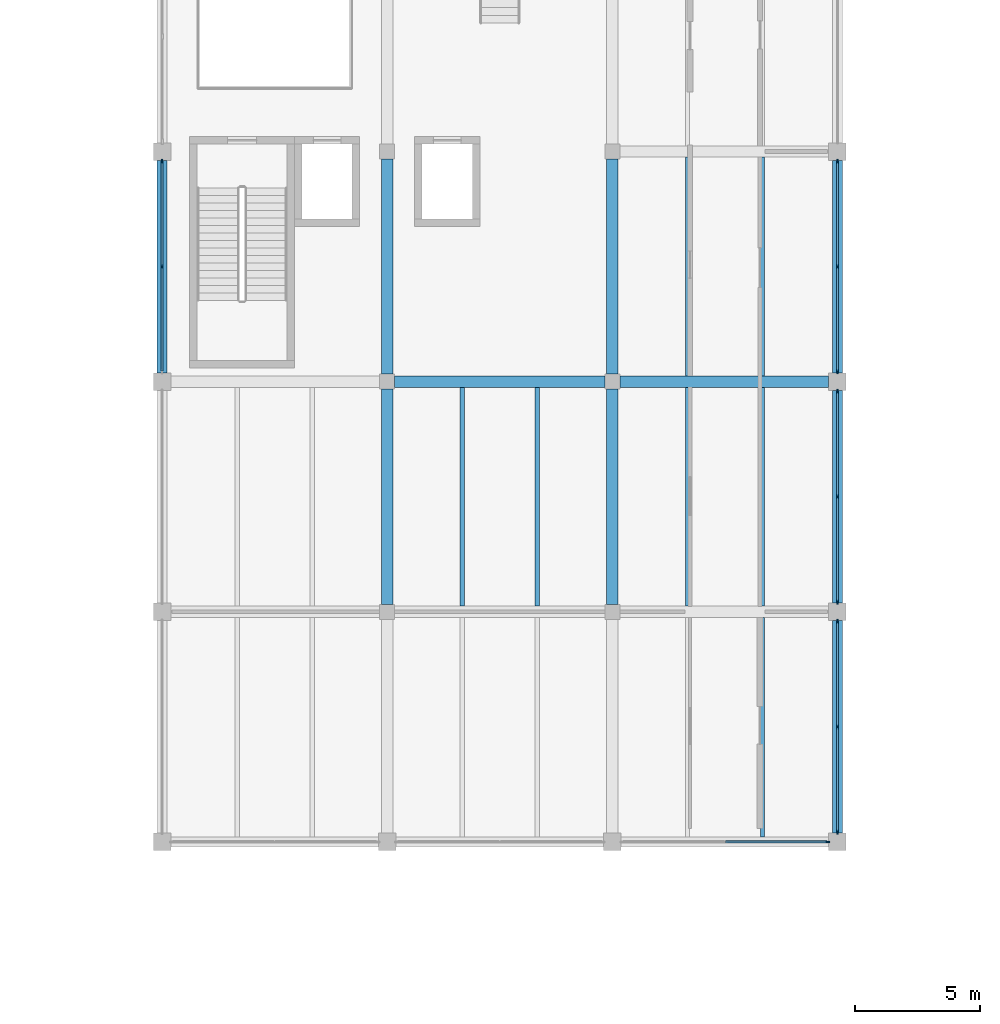
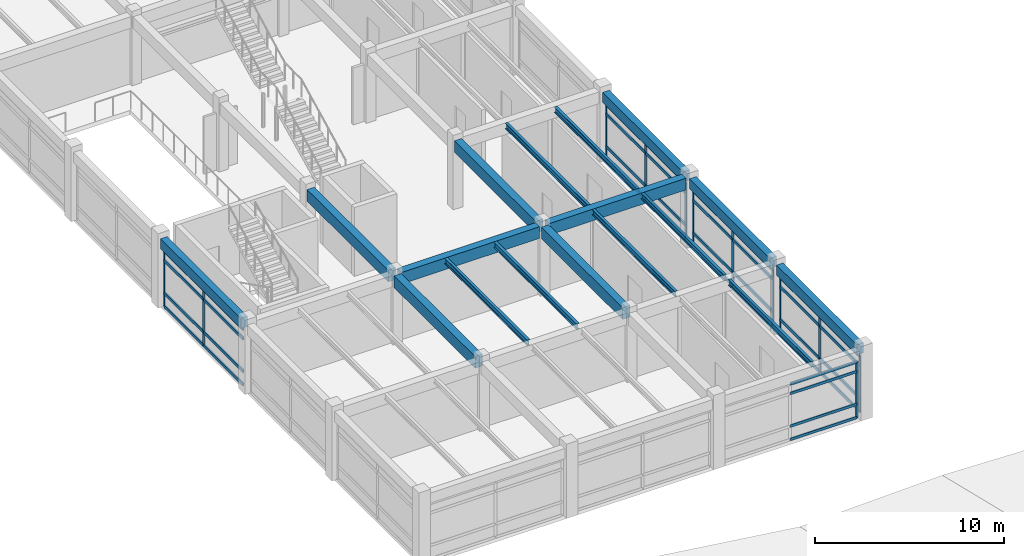
# One storey, part 28 of 90: 48 members, 17 beams, 5 elements without a shape of their own.
"""IFC4 building model written with IfcOpenShell, lengths in metres."""

from ifc_helpers import new_model, si_unit, direction, frame, origin, origin_2d, place, context, subcontext, project, spatial, rectangle, i_section, extrude, material, material_profile, profile_set, type_object, element, aggregate, save


model = new_model("IFC4")

# Units and contexts
model_context = context("Model", 3, precision=1e-05, world=origin(), true_north=direction((0.0, 1.0)))
body_context = subcontext(model_context, "Body", "Model", "MODEL_VIEW")
ifc_project = project(units=[si_unit("LENGTHUNIT", "METRE"), si_unit("AREAUNIT", "SQUARE_METRE"), si_unit("VOLUMEUNIT", "CUBIC_METRE"), si_unit("PLANEANGLEUNIT", "RADIAN"), si_unit("MASSUNIT", "GRAM", prefix="KILO")], contexts=[model_context])

# Site, building, storey
site_placement = place(None, origin())
site = spatial("IfcSite", under=ifc_project, at=site_placement, CompositionType="ELEMENT")
building_placement = place(site_placement, origin())
building = spatial("IfcBuilding", under=site, at=building_placement, Name="Bozkorgan Art Gallery", CompositionType="ELEMENT")
storey_placement = place(building_placement, frame((0.0, 0.0, 5.39990234375)))
storey = spatial("IfcBuildingStorey", under=building, at=storey_placement, Name="L01", CompositionType="ELEMENT", Elevation=5.39990234375)

# Beams
ifc_material_1 = material(Name="Concrete C35/45", Category="concrete")
ifc_material_profile_1 = material_profile(ifc_material_1, rectangle(XDim=0.449951171875, YDim=0.75, at=origin_2d()), Name="RC 450x750")
ifc_profile_set_1 = profile_set([ifc_material_profile_1], Name="Concrete C35/45")
beam_type_1 = type_object("IfcBeamType", Name="BEAM-BM-27", PredefinedType="BEAM", material=ifc_profile_set_1)
beam_1_placement = place(storey_placement, frame((83.300048828125, 56.800048828125, 4.065185546875), z_axis=(1.0, 0.0, 0.0), x_axis=(0.0, 1.0, 0.0)))
element("IfcBeam", 1, at=beam_1_placement, inside=storey, type_object=beam_type_1, Name="V4 L01 beam X (83-92, 56.8)", PredefinedType="BEAM", context=body_context, shape_type="SweptSolid", body=[
    extrude(rectangle(XDim=0.449951171875, YDim=0.75, at=origin_2d()), origin(), (0.0, 0.0, 1.0), 8.39990234375),
])
beam_2_placement = place(storey_placement, frame((92.300048828125, 56.800048828125, 4.065185546875), z_axis=(1.0, 0.0, 0.0), x_axis=(0.0, 1.0, 0.0)))
element("IfcBeam", 2, at=beam_2_placement, inside=storey, type_object=beam_type_1, Name="V4 L01 beam X (92-101, 56.8)", PredefinedType="BEAM", context=body_context, shape_type="SweptSolid", body=[
    extrude(rectangle(XDim=0.449951171875, YDim=0.75, at=origin_2d()), origin(), (0.0, 0.0, 1.0), 8.349853515625),
])
beam_3_placement = place(storey_placement, frame((83.0, 47.89990234375, 4.065185546875), z_axis=(0.0, 1.0, 0.0), x_axis=(-1.0, 0.0, 0.0)))
element("IfcBeam", 3, at=beam_3_placement, inside=storey, type_object=beam_type_1, Name="V4 L01 beam Y (83, 47.6-56.8)", PredefinedType="BEAM", context=body_context, shape_type="SweptSolid", body=[
    extrude(rectangle(XDim=0.449951171875, YDim=0.75, at=origin_2d()), origin(), (0.0, 0.0, 1.0), 8.60009765625),
])
beam_4_placement = place(storey_placement, frame((83.0, 57.10009765625, 4.065185546875), z_axis=(0.0, 1.0, 0.0), x_axis=(-1.0, 0.0, 0.0)))
element("IfcBeam", 4, at=beam_4_placement, inside=storey, type_object=beam_type_1, Name="V4 L01 beam Y (83, 56.8-66.0)", PredefinedType="BEAM", context=body_context, shape_type="SweptSolid", body=[
    extrude(rectangle(XDim=0.449951171875, YDim=0.75, at=origin_2d()), origin(), (0.0, 0.0, 1.0), 8.599853515625),
])
beam_5_placement = place(storey_placement, frame((92.0, 47.89990234375, 4.065185546875), z_axis=(0.0, 1.0, 0.0), x_axis=(-1.0, 0.0, 0.0)))
element("IfcBeam", 5, at=beam_5_placement, inside=storey, type_object=beam_type_1, Name="V4 L01 beam Y (92, 47.6-56.8)", PredefinedType="BEAM", context=body_context, shape_type="SweptSolid", body=[
    extrude(rectangle(XDim=0.449951171875, YDim=0.75, at=origin_2d()), origin(), (0.0, 0.0, 1.0), 8.60009765625),
])
beam_6_placement = place(storey_placement, frame((92.0, 57.10009765625, 4.065185546875), z_axis=(0.0, 1.0, 0.0), x_axis=(-1.0, 0.0, 0.0)))
element("IfcBeam", 6, at=beam_6_placement, inside=storey, type_object=beam_type_1, Name="V4 L01 beam Y (92, 56.8-66.0)", PredefinedType="BEAM", context=body_context, shape_type="SweptSolid", body=[
    extrude(rectangle(XDim=0.449951171875, YDim=0.75, at=origin_2d()), origin(), (0.0, 0.0, 1.0), 8.599853515625),
])
ifc_material_2 = material(Name="Steel S355J2", Category="steel")
ifc_material_profile_2 = material_profile(ifc_material_2, i_section(OverallWidth=0.169921875, OverallDepth=0.360107421875, WebThickness=0.008056640625, FlangeThickness=0.0126953125, FilletRadius=0.01806640625, at=origin_2d()), Name="IPE 360")
ifc_profile_set_2 = profile_set([ifc_material_profile_2], Name="Steel S355J2")
beam_type_2 = type_object("IfcBeamType", Name="BEAM-JS-98", PredefinedType="JOIST", material=ifc_profile_set_2)
for number, where, z_axis, x_axis, name in (
    (7, (86.0, 47.824951171875, 4.260009765625), (0.0, 1.0, 0.0), (-1.0, 0.0, 0.0), "V4 L01 secondary joist (83-92, 47.6-56.8) #1"),
    (8, (89.0, 47.824951171875, 4.260009765625), (0.0, 1.0, 0.0), (-1.0, 0.0, 0.0), "V4 L01 secondary joist (83-92, 47.6-56.8) #2"),
):
    element("IfcBeam", number, at=place(storey_placement, frame(where, z_axis=z_axis, x_axis=x_axis)), inside=storey, type_object=beam_type_2, Name=name, PredefinedType="JOIST", context=body_context, shape_type="SweptSolid", body=[
        extrude(i_section(OverallWidth=0.169921875, OverallDepth=0.360107421875, WebThickness=0.008056640625, FlangeThickness=0.0126953125, FilletRadius=0.01806640625, at=origin_2d()), origin(), (0.0, 0.0, 1.0), 8.75),
    ])
beam_7_placement = place(storey_placement, frame((98.0, 38.60009765625, 4.260009765625), z_axis=(0.0, 1.0, 0.0), x_axis=(-1.0, 0.0, 0.0)))
element("IfcBeam", 9, at=beam_7_placement, inside=storey, type_object=beam_type_2, Name="V4 L01 secondary joist (92-101, 38.4-47.6) #2", PredefinedType="JOIST", context=body_context, shape_type="SweptSolid", body=[
    extrude(i_section(OverallWidth=0.169921875, OverallDepth=0.360107421875, WebThickness=0.008056640625, FlangeThickness=0.0126953125, FilletRadius=0.01806640625, at=origin_2d()), origin(), (0.0, 0.0, 1.0), 8.77490234375),
])
for number, where, z_axis, x_axis, name in (
    (10, (95.0, 47.824951171875, 4.260009765625), (0.0, 1.0, 0.0), (-1.0, 0.0, 0.0), "V4 L01 secondary joist (92-101, 47.6-56.8) #1"),
    (11, (98.0, 47.824951171875, 4.260009765625), (0.0, 1.0, 0.0), (-1.0, 0.0, 0.0), "V4 L01 secondary joist (92-101, 47.6-56.8) #2"),
    (12, (95.0, 57.02490234375, 4.260009765625), (0.0, 1.0, 0.0), (-1.0, 0.0, 0.0), "V4 L01 secondary joist (92-101, 56.8-66.0) #1"),
    (13, (98.0, 57.02490234375, 4.260009765625), (0.0, 1.0, 0.0), (-1.0, 0.0, 0.0), "V4 L01 secondary joist (92-101, 56.8-66.0) #2"),
):
    element("IfcBeam", number, at=place(storey_placement, frame(where, z_axis=z_axis, x_axis=x_axis)), inside=storey, type_object=beam_type_2, Name=name, PredefinedType="JOIST", context=body_context, shape_type="SweptSolid", body=[
        extrude(i_section(OverallWidth=0.169921875, OverallDepth=0.360107421875, WebThickness=0.008056640625, FlangeThickness=0.0126953125, FilletRadius=0.01806640625, at=origin_2d()), origin(), (0.0, 0.0, 1.0), 8.75),
    ])
ifc_material_profile_3 = material_profile(ifc_material_1, rectangle(XDim=0.39990234375, YDim=0.64990234375, at=origin_2d()), Name="RC 400x650")
ifc_profile_set_3 = profile_set([ifc_material_profile_3], Name="Concrete C35/45")
beam_type_3 = type_object("IfcBeamType", Name="BEAM-SP-69", PredefinedType="SPANDREL", material=ifc_profile_set_3)
for number, where, z_axis, x_axis, name in (
    (14, (74.0, 57.14990234375, 4.114990234375), (0.0, 1.0, 0.0), (-1.0, 0.0, 0.0), "V4 L01 spandrel Y (74, 56.8-66.0)"),
    (15, (101.0, 38.75, 4.114990234375), (0.0, 1.0, 0.0), (-1.0, 0.0, 0.0), "V4 L01 spandrel Y (101, 38.4-47.6)"),
    (16, (101.0, 47.949951171875, 4.114990234375), (0.0, 1.0, 0.0), (-1.0, 0.0, 0.0), "V4 L01 spandrel Y (101, 47.6-56.8)"),
    (17, (101.0, 57.14990234375, 4.114990234375), (0.0, 1.0, 0.0), (-1.0, 0.0, 0.0), "V4 L01 spandrel Y (101, 56.8-66.0)"),
):
    element("IfcBeam", number, at=place(storey_placement, frame(where, z_axis=z_axis, x_axis=x_axis)), inside=storey, type_object=beam_type_3, Name=name, PredefinedType="SPANDREL", context=body_context, shape_type="SweptSolid", body=[
        extrude(rectangle(XDim=0.39990234375, YDim=0.64990234375, at=origin_2d()), origin(), (0.0, 0.0, 1.0), 8.5),
    ])

# Curtain wall, member
ifc_material_3 = material(Name="Anodised Bronze Aluminium", Category="aluminium")
curtain_wall_type_1 = type_object("IfcCurtainWallType", Name="CW-CW-19", PredefinedType="NOTDEFINED", material=ifc_material_3)
curtain_wall_1_placement = place(storey_placement, origin())
curtain_wall_1 = element("IfcCurtainWall", 18, at=curtain_wall_1_placement, inside=storey, type_object=curtain_wall_type_1, Name="L01 unitised curtain wall CW-V4-L01-1S-05", PredefinedType="NOTDEFINED")
ifc_material_profile_4 = material_profile(ifc_material_3, rectangle(XDim=0.06494140625, YDim=0.179931640625, at=origin_2d()), Name="ALU MULLION 65x180")
ifc_profile_set_4 = profile_set([ifc_material_profile_4], Name="Anodised Bronze Aluminium")
member_type_1 = type_object("IfcMemberType", Name="CWM-01", PredefinedType="MULLION", material=ifc_profile_set_4)
member_1_placement = place(storey_placement, frame((100.6025390625, 38.39990234375, 0.02001953125), z_axis=(0.0, 0.0, 1.0), x_axis=(0.0, 1.0, 0.0)))
member_1 = element("IfcMember", 19, at=member_1_placement, type_object=member_type_1, Name="CW-19 mullion 3", PredefinedType="MULLION", context=body_context, shape_type="SweptSolid", body=[
    extrude(rectangle(XDim=0.06494140625, YDim=0.179931640625, at=origin_2d()), origin(), (0.0, 0.0, 1.0), 3.655029296875),
])

# Curtain wall, members
curtain_wall_type_2 = type_object("IfcCurtainWallType", Name="CW-CW-16", PredefinedType="NOTDEFINED", material=ifc_material_3)
curtain_wall_2_placement = place(storey_placement, origin())
curtain_wall_2 = element("IfcCurtainWall", 20, at=curtain_wall_2_placement, inside=storey, type_object=curtain_wall_type_2, Name="L01 unitised curtain wall CW-V4-L01-1E-08", PredefinedType="NOTDEFINED")
member_2_placement = place(storey_placement, frame((101.0, 38.797607421875, 0.02001953125), z_axis=(0.0, 0.0, 1.0), x_axis=(-1.0, 0.0, 0.0)))
member_2 = element("IfcMember", 21, at=member_2_placement, type_object=member_type_1, Name="CW-16 mullion 1", PredefinedType="MULLION", context=body_context, shape_type="SweptSolid", body=[
    extrude(rectangle(XDim=0.06494140625, YDim=0.179931640625, at=origin_2d()), origin(), (0.0, 0.0, 1.0), 3.655029296875),
])
member_3_placement = place(storey_placement, frame((101.0, 43.0, 0.02001953125), z_axis=(0.0, 0.0, 1.0), x_axis=(-1.0, 0.0, 0.0)))
member_3 = element("IfcMember", 22, at=member_3_placement, type_object=member_type_1, Name="CW-16 mullion 2", PredefinedType="MULLION", context=body_context, shape_type="SweptSolid", body=[
    extrude(rectangle(XDim=0.06494140625, YDim=0.179931640625, at=origin_2d()), origin(), (0.0, 0.0, 1.0), 3.655029296875),
])
member_4_placement = place(storey_placement, frame((101.0, 47.202392578125, 0.02001953125), z_axis=(0.0, 0.0, 1.0), x_axis=(-1.0, 0.0, 0.0)))
member_4 = element("IfcMember", 23, at=member_4_placement, type_object=member_type_1, Name="CW-16 mullion 3", PredefinedType="MULLION", context=body_context, shape_type="SweptSolid", body=[
    extrude(rectangle(XDim=0.06494140625, YDim=0.179931640625, at=origin_2d()), origin(), (0.0, 0.0, 1.0), 3.655029296875),
])

curtain_wall_3_placement = place(storey_placement, origin())
curtain_wall_3 = element("IfcCurtainWall", 24, at=curtain_wall_3_placement, inside=storey, type_object=curtain_wall_type_2, Name="L01 unitised curtain wall CW-V4-L01-1E-10", PredefinedType="NOTDEFINED")
member_5_placement = place(storey_placement, frame((101.0, 47.99755859375, 0.02001953125), z_axis=(0.0, 0.0, 1.0), x_axis=(-1.0, 0.0, 0.0)))
member_5 = element("IfcMember", 25, at=member_5_placement, type_object=member_type_1, Name="CW-16 mullion 1", PredefinedType="MULLION", context=body_context, shape_type="SweptSolid", body=[
    extrude(rectangle(XDim=0.06494140625, YDim=0.179931640625, at=origin_2d()), origin(), (0.0, 0.0, 1.0), 3.655029296875),
])
member_6_placement = place(storey_placement, frame((101.0, 52.199951171875, 0.02001953125), z_axis=(0.0, 0.0, 1.0), x_axis=(-1.0, 0.0, 0.0)))
member_6 = element("IfcMember", 26, at=member_6_placement, type_object=member_type_1, Name="CW-16 mullion 2", PredefinedType="MULLION", context=body_context, shape_type="SweptSolid", body=[
    extrude(rectangle(XDim=0.06494140625, YDim=0.179931640625, at=origin_2d()), origin(), (0.0, 0.0, 1.0), 3.655029296875),
])
member_7_placement = place(storey_placement, frame((101.0, 56.402587890625, 0.02001953125), z_axis=(0.0, 0.0, 1.0), x_axis=(-1.0, 0.0, 0.0)))
member_7 = element("IfcMember", 27, at=member_7_placement, type_object=member_type_1, Name="CW-16 mullion 3", PredefinedType="MULLION", context=body_context, shape_type="SweptSolid", body=[
    extrude(rectangle(XDim=0.06494140625, YDim=0.179931640625, at=origin_2d()), origin(), (0.0, 0.0, 1.0), 3.655029296875),
])

curtain_wall_4_placement = place(storey_placement, origin())
curtain_wall_4 = element("IfcCurtainWall", 28, at=curtain_wall_4_placement, inside=storey, type_object=curtain_wall_type_2, Name="L01 unitised curtain wall CW-V4-L01-1W-11", PredefinedType="NOTDEFINED")
member_8_placement = place(storey_placement, frame((74.0, 61.39990234375, 0.02001953125), z_axis=(0.0, 0.0, 1.0), x_axis=(-1.0, 0.0, 0.0)))
member_8 = element("IfcMember", 29, at=member_8_placement, type_object=member_type_1, Name="CW-16 mullion 2", PredefinedType="MULLION", context=body_context, shape_type="SweptSolid", body=[
    extrude(rectangle(XDim=0.06494140625, YDim=0.179931640625, at=origin_2d()), origin(), (0.0, 0.0, 1.0), 3.655029296875),
])
member_9_placement = place(storey_placement, frame((74.0, 65.6025390625, 0.02001953125), z_axis=(0.0, 0.0, 1.0), x_axis=(-1.0, 0.0, 0.0)))
member_9 = element("IfcMember", 30, at=member_9_placement, type_object=member_type_1, Name="CW-16 mullion 3", PredefinedType="MULLION", context=body_context, shape_type="SweptSolid", body=[
    extrude(rectangle(XDim=0.06494140625, YDim=0.179931640625, at=origin_2d()), origin(), (0.0, 0.0, 1.0), 3.655029296875),
])

curtain_wall_5_placement = place(storey_placement, origin())
curtain_wall_5 = element("IfcCurtainWall", 31, at=curtain_wall_5_placement, inside=storey, type_object=curtain_wall_type_2, Name="L01 unitised curtain wall CW-V4-L01-1E-12", PredefinedType="NOTDEFINED")
member_10_placement = place(storey_placement, frame((101.0, 57.197509765625, 0.02001953125), z_axis=(0.0, 0.0, 1.0), x_axis=(-1.0, 0.0, 0.0)))
member_10 = element("IfcMember", 32, at=member_10_placement, type_object=member_type_1, Name="CW-16 mullion 1", PredefinedType="MULLION", context=body_context, shape_type="SweptSolid", body=[
    extrude(rectangle(XDim=0.06494140625, YDim=0.179931640625, at=origin_2d()), origin(), (0.0, 0.0, 1.0), 3.655029296875),
])
member_11_placement = place(storey_placement, frame((101.0, 61.39990234375, 0.02001953125), z_axis=(0.0, 0.0, 1.0), x_axis=(-1.0, 0.0, 0.0)))
member_11 = element("IfcMember", 33, at=member_11_placement, type_object=member_type_1, Name="CW-16 mullion 2", PredefinedType="MULLION", context=body_context, shape_type="SweptSolid", body=[
    extrude(rectangle(XDim=0.06494140625, YDim=0.179931640625, at=origin_2d()), origin(), (0.0, 0.0, 1.0), 3.655029296875),
])
member_12_placement = place(storey_placement, frame((101.0, 65.6025390625, 0.02001953125), z_axis=(0.0, 0.0, 1.0), x_axis=(-1.0, 0.0, 0.0)))
member_12 = element("IfcMember", 34, at=member_12_placement, type_object=member_type_1, Name="CW-16 mullion 3", PredefinedType="MULLION", context=body_context, shape_type="SweptSolid", body=[
    extrude(rectangle(XDim=0.06494140625, YDim=0.179931640625, at=origin_2d()), origin(), (0.0, 0.0, 1.0), 3.655029296875),
])

# Member
ifc_material_profile_5 = material_profile(ifc_material_3, rectangle(XDim=0.074951171875, YDim=0.169921875, at=origin_2d()), Name="ALU TRANSOM 75x170")
ifc_profile_set_5 = profile_set([ifc_material_profile_5], Name="Anodised Bronze Aluminium")
member_type_2 = type_object("IfcMemberType", Name="CWT-02", PredefinedType="USERDEFINED", material=ifc_profile_set_5)
member_13_placement = place(storey_placement, frame((96.532470703125, 38.39990234375, 0.0576171875), z_axis=(1.0, 0.0, 0.0), x_axis=(0.0, 1.0, 0.0)))
member_13 = element("IfcMember", 35, at=member_13_placement, type_object=member_type_2, Name="CW-19 transom 2.1", ObjectType="TRANSOM", PredefinedType="USERDEFINED", context=body_context, shape_type="SweptSolid", body=[
    extrude(rectangle(XDim=0.074951171875, YDim=0.169921875, at=origin_2d()), origin(), (0.0, 0.0, 1.0), 4.03759765625),
])

member_14_placement = place(storey_placement, frame((96.532470703125, 38.39990234375, 0.920166015625), z_axis=(1.0, 0.0, 0.0), x_axis=(0.0, 1.0, 0.0)))
member_14 = element("IfcMember", 36, at=member_14_placement, type_object=member_type_2, Name="CW-19 transom 2.2", ObjectType="TRANSOM", PredefinedType="USERDEFINED", context=body_context, shape_type="SweptSolid", body=[
    extrude(rectangle(XDim=0.074951171875, YDim=0.169921875, at=origin_2d()), origin(), (0.0, 0.0, 1.0), 4.03759765625),
])

member_15_placement = place(storey_placement, frame((96.532470703125, 38.39990234375, 3.025146484375), z_axis=(1.0, 0.0, 0.0), x_axis=(0.0, 1.0, 0.0)))
member_15 = element("IfcMember", 37, at=member_15_placement, type_object=member_type_2, Name="CW-19 transom 2.3", ObjectType="TRANSOM", PredefinedType="USERDEFINED", context=body_context, shape_type="SweptSolid", body=[
    extrude(rectangle(XDim=0.074951171875, YDim=0.169921875, at=origin_2d()), origin(), (0.0, 0.0, 1.0), 4.03759765625),
])

member_16_placement = place(storey_placement, frame((96.532470703125, 38.39990234375, 3.6376953125), z_axis=(1.0, 0.0, 0.0), x_axis=(0.0, 1.0, 0.0)))
member_16 = element("IfcMember", 38, at=member_16_placement, type_object=member_type_2, Name="CW-19 transom 2.4", ObjectType="TRANSOM", PredefinedType="USERDEFINED", context=body_context, shape_type="SweptSolid", body=[
    extrude(rectangle(XDim=0.074951171875, YDim=0.169921875, at=origin_2d()), origin(), (0.0, 0.0, 1.0), 4.03759765625),
])

aggregate(curtain_wall_1, [member_1, member_13, member_14, member_15, member_16])

ifc_material_profile_6 = material_profile(ifc_material_3, rectangle(XDim=0.080078125, YDim=0.199951171875, at=origin_2d()), Name="ALU TRANSOM 80x200")
ifc_profile_set_6 = profile_set([ifc_material_profile_6], Name="Anodised Bronze Aluminium")
member_type_3 = type_object("IfcMemberType", Name="CWT-03", PredefinedType="USERDEFINED", material=ifc_profile_set_6)
member_17_placement = place(storey_placement, frame((101.0, 38.830078125, 0.06005859375), z_axis=(0.0, 1.0, 0.0), x_axis=(-1.0, 0.0, 0.0)))
member_17 = element("IfcMember", 39, at=member_17_placement, type_object=member_type_3, Name="CW-16 transom 1.1", ObjectType="TRANSOM", PredefinedType="USERDEFINED", context=body_context, shape_type="SweptSolid", body=[
    extrude(rectangle(XDim=0.080078125, YDim=0.199951171875, at=origin_2d()), origin(), (0.0, 0.0, 1.0), 4.137451171875),
])

member_18_placement = place(storey_placement, frame((101.0, 38.830078125, 0.920166015625), z_axis=(0.0, 1.0, 0.0), x_axis=(-1.0, 0.0, 0.0)))
member_18 = element("IfcMember", 40, at=member_18_placement, type_object=member_type_3, Name="CW-16 transom 1.2", ObjectType="TRANSOM", PredefinedType="USERDEFINED", context=body_context, shape_type="SweptSolid", body=[
    extrude(rectangle(XDim=0.080078125, YDim=0.199951171875, at=origin_2d()), origin(), (0.0, 0.0, 1.0), 4.137451171875),
])

member_19_placement = place(storey_placement, frame((101.0, 38.830078125, 3.025146484375), z_axis=(0.0, 1.0, 0.0), x_axis=(-1.0, 0.0, 0.0)))
member_19 = element("IfcMember", 41, at=member_19_placement, type_object=member_type_3, Name="CW-16 transom 1.3", ObjectType="TRANSOM", PredefinedType="USERDEFINED", context=body_context, shape_type="SweptSolid", body=[
    extrude(rectangle(XDim=0.080078125, YDim=0.199951171875, at=origin_2d()), origin(), (0.0, 0.0, 1.0), 4.137451171875),
])

member_20_placement = place(storey_placement, frame((101.0, 38.830078125, 3.635009765625), z_axis=(0.0, 1.0, 0.0), x_axis=(-1.0, 0.0, 0.0)))
member_20 = element("IfcMember", 42, at=member_20_placement, type_object=member_type_3, Name="CW-16 transom 1.4", ObjectType="TRANSOM", PredefinedType="USERDEFINED", context=body_context, shape_type="SweptSolid", body=[
    extrude(rectangle(XDim=0.080078125, YDim=0.199951171875, at=origin_2d()), origin(), (0.0, 0.0, 1.0), 4.137451171875),
])

member_21_placement = place(storey_placement, frame((101.0, 43.032470703125, 0.06005859375), z_axis=(0.0, 1.0, 0.0), x_axis=(-1.0, 0.0, 0.0)))
member_21 = element("IfcMember", 43, at=member_21_placement, type_object=member_type_3, Name="CW-16 transom 2.1", ObjectType="TRANSOM", PredefinedType="USERDEFINED", context=body_context, shape_type="SweptSolid", body=[
    extrude(rectangle(XDim=0.080078125, YDim=0.199951171875, at=origin_2d()), origin(), (0.0, 0.0, 1.0), 4.137451171875),
])

member_22_placement = place(storey_placement, frame((101.0, 43.032470703125, 0.920166015625), z_axis=(0.0, 1.0, 0.0), x_axis=(-1.0, 0.0, 0.0)))
member_22 = element("IfcMember", 44, at=member_22_placement, type_object=member_type_3, Name="CW-16 transom 2.2", ObjectType="TRANSOM", PredefinedType="USERDEFINED", context=body_context, shape_type="SweptSolid", body=[
    extrude(rectangle(XDim=0.080078125, YDim=0.199951171875, at=origin_2d()), origin(), (0.0, 0.0, 1.0), 4.137451171875),
])

member_23_placement = place(storey_placement, frame((101.0, 43.032470703125, 3.025146484375), z_axis=(0.0, 1.0, 0.0), x_axis=(-1.0, 0.0, 0.0)))
member_23 = element("IfcMember", 45, at=member_23_placement, type_object=member_type_3, Name="CW-16 transom 2.3", ObjectType="TRANSOM", PredefinedType="USERDEFINED", context=body_context, shape_type="SweptSolid", body=[
    extrude(rectangle(XDim=0.080078125, YDim=0.199951171875, at=origin_2d()), origin(), (0.0, 0.0, 1.0), 4.137451171875),
])

member_24_placement = place(storey_placement, frame((101.0, 43.032470703125, 3.635009765625), z_axis=(0.0, 1.0, 0.0), x_axis=(-1.0, 0.0, 0.0)))
member_24 = element("IfcMember", 46, at=member_24_placement, type_object=member_type_3, Name="CW-16 transom 2.4", ObjectType="TRANSOM", PredefinedType="USERDEFINED", context=body_context, shape_type="SweptSolid", body=[
    extrude(rectangle(XDim=0.080078125, YDim=0.199951171875, at=origin_2d()), origin(), (0.0, 0.0, 1.0), 4.137451171875),
])

aggregate(curtain_wall_2, [member_2, member_3, member_4, member_17, member_18, member_19, member_20, member_21, member_22, member_23, member_24])

member_25_placement = place(storey_placement, frame((101.0, 48.030029296875, 0.06005859375), z_axis=(0.0, 1.0, 0.0), x_axis=(-1.0, 0.0, 0.0)))
member_25 = element("IfcMember", 47, at=member_25_placement, type_object=member_type_3, Name="CW-16 transom 1.1", ObjectType="TRANSOM", PredefinedType="USERDEFINED", context=body_context, shape_type="SweptSolid", body=[
    extrude(rectangle(XDim=0.080078125, YDim=0.199951171875, at=origin_2d()), origin(), (0.0, 0.0, 1.0), 4.137451171875),
])

member_26_placement = place(storey_placement, frame((101.0, 48.030029296875, 0.920166015625), z_axis=(0.0, 1.0, 0.0), x_axis=(-1.0, 0.0, 0.0)))
member_26 = element("IfcMember", 48, at=member_26_placement, type_object=member_type_3, Name="CW-16 transom 1.2", ObjectType="TRANSOM", PredefinedType="USERDEFINED", context=body_context, shape_type="SweptSolid", body=[
    extrude(rectangle(XDim=0.080078125, YDim=0.199951171875, at=origin_2d()), origin(), (0.0, 0.0, 1.0), 4.137451171875),
])

member_27_placement = place(storey_placement, frame((101.0, 48.030029296875, 3.025146484375), z_axis=(0.0, 1.0, 0.0), x_axis=(-1.0, 0.0, 0.0)))
member_27 = element("IfcMember", 49, at=member_27_placement, type_object=member_type_3, Name="CW-16 transom 1.3", ObjectType="TRANSOM", PredefinedType="USERDEFINED", context=body_context, shape_type="SweptSolid", body=[
    extrude(rectangle(XDim=0.080078125, YDim=0.199951171875, at=origin_2d()), origin(), (0.0, 0.0, 1.0), 4.137451171875),
])

member_28_placement = place(storey_placement, frame((101.0, 48.030029296875, 3.635009765625), z_axis=(0.0, 1.0, 0.0), x_axis=(-1.0, 0.0, 0.0)))
member_28 = element("IfcMember", 50, at=member_28_placement, type_object=member_type_3, Name="CW-16 transom 1.4", ObjectType="TRANSOM", PredefinedType="USERDEFINED", context=body_context, shape_type="SweptSolid", body=[
    extrude(rectangle(XDim=0.080078125, YDim=0.199951171875, at=origin_2d()), origin(), (0.0, 0.0, 1.0), 4.137451171875),
])

member_29_placement = place(storey_placement, frame((101.0, 52.232421875, 0.06005859375), z_axis=(0.0, 1.0, 0.0), x_axis=(-1.0, 0.0, 0.0)))
member_29 = element("IfcMember", 51, at=member_29_placement, type_object=member_type_3, Name="CW-16 transom 2.1", ObjectType="TRANSOM", PredefinedType="USERDEFINED", context=body_context, shape_type="SweptSolid", body=[
    extrude(rectangle(XDim=0.080078125, YDim=0.199951171875, at=origin_2d()), origin(), (0.0, 0.0, 1.0), 4.1376953125),
])

member_30_placement = place(storey_placement, frame((101.0, 52.232421875, 0.920166015625), z_axis=(0.0, 1.0, 0.0), x_axis=(-1.0, 0.0, 0.0)))
member_30 = element("IfcMember", 52, at=member_30_placement, type_object=member_type_3, Name="CW-16 transom 2.2", ObjectType="TRANSOM", PredefinedType="USERDEFINED", context=body_context, shape_type="SweptSolid", body=[
    extrude(rectangle(XDim=0.080078125, YDim=0.199951171875, at=origin_2d()), origin(), (0.0, 0.0, 1.0), 4.1376953125),
])

member_31_placement = place(storey_placement, frame((101.0, 52.232421875, 3.025146484375), z_axis=(0.0, 1.0, 0.0), x_axis=(-1.0, 0.0, 0.0)))
member_31 = element("IfcMember", 53, at=member_31_placement, type_object=member_type_3, Name="CW-16 transom 2.3", ObjectType="TRANSOM", PredefinedType="USERDEFINED", context=body_context, shape_type="SweptSolid", body=[
    extrude(rectangle(XDim=0.080078125, YDim=0.199951171875, at=origin_2d()), origin(), (0.0, 0.0, 1.0), 4.1376953125),
])

member_32_placement = place(storey_placement, frame((101.0, 52.232421875, 3.635009765625), z_axis=(0.0, 1.0, 0.0), x_axis=(-1.0, 0.0, 0.0)))
member_32 = element("IfcMember", 54, at=member_32_placement, type_object=member_type_3, Name="CW-16 transom 2.4", ObjectType="TRANSOM", PredefinedType="USERDEFINED", context=body_context, shape_type="SweptSolid", body=[
    extrude(rectangle(XDim=0.080078125, YDim=0.199951171875, at=origin_2d()), origin(), (0.0, 0.0, 1.0), 4.1376953125),
])

aggregate(curtain_wall_3, [member_5, member_6, member_7, member_25, member_26, member_27, member_28, member_29, member_30, member_31, member_32])

member_33_placement = place(storey_placement, frame((74.0, 57.22998046875, 0.06005859375), z_axis=(0.0, 1.0, 0.0), x_axis=(-1.0, 0.0, 0.0)))
member_33 = element("IfcMember", 55, at=member_33_placement, type_object=member_type_3, Name="CW-16 transom 1.1", ObjectType="TRANSOM", PredefinedType="USERDEFINED", context=body_context, shape_type="SweptSolid", body=[
    extrude(rectangle(XDim=0.080078125, YDim=0.199951171875, at=origin_2d()), origin(), (0.0, 0.0, 1.0), 4.137451171875),
])

member_34_placement = place(storey_placement, frame((74.0, 57.22998046875, 0.920166015625), z_axis=(0.0, 1.0, 0.0), x_axis=(-1.0, 0.0, 0.0)))
member_34 = element("IfcMember", 56, at=member_34_placement, type_object=member_type_3, Name="CW-16 transom 1.2", ObjectType="TRANSOM", PredefinedType="USERDEFINED", context=body_context, shape_type="SweptSolid", body=[
    extrude(rectangle(XDim=0.080078125, YDim=0.199951171875, at=origin_2d()), origin(), (0.0, 0.0, 1.0), 4.137451171875),
])

member_35_placement = place(storey_placement, frame((74.0, 57.22998046875, 3.025146484375), z_axis=(0.0, 1.0, 0.0), x_axis=(-1.0, 0.0, 0.0)))
member_35 = element("IfcMember", 57, at=member_35_placement, type_object=member_type_3, Name="CW-16 transom 1.3", ObjectType="TRANSOM", PredefinedType="USERDEFINED", context=body_context, shape_type="SweptSolid", body=[
    extrude(rectangle(XDim=0.080078125, YDim=0.199951171875, at=origin_2d()), origin(), (0.0, 0.0, 1.0), 4.137451171875),
])

member_36_placement = place(storey_placement, frame((74.0, 57.22998046875, 3.635009765625), z_axis=(0.0, 1.0, 0.0), x_axis=(-1.0, 0.0, 0.0)))
member_36 = element("IfcMember", 58, at=member_36_placement, type_object=member_type_3, Name="CW-16 transom 1.4", ObjectType="TRANSOM", PredefinedType="USERDEFINED", context=body_context, shape_type="SweptSolid", body=[
    extrude(rectangle(XDim=0.080078125, YDim=0.199951171875, at=origin_2d()), origin(), (0.0, 0.0, 1.0), 4.137451171875),
])

member_37_placement = place(storey_placement, frame((74.0, 61.4326171875, 0.06005859375), z_axis=(0.0, 1.0, 0.0), x_axis=(-1.0, 0.0, 0.0)))
member_37 = element("IfcMember", 59, at=member_37_placement, type_object=member_type_3, Name="CW-16 transom 2.1", ObjectType="TRANSOM", PredefinedType="USERDEFINED", context=body_context, shape_type="SweptSolid", body=[
    extrude(rectangle(XDim=0.080078125, YDim=0.199951171875, at=origin_2d()), origin(), (0.0, 0.0, 1.0), 4.137451171875),
])

member_38_placement = place(storey_placement, frame((74.0, 61.4326171875, 0.920166015625), z_axis=(0.0, 1.0, 0.0), x_axis=(-1.0, 0.0, 0.0)))
member_38 = element("IfcMember", 60, at=member_38_placement, type_object=member_type_3, Name="CW-16 transom 2.2", ObjectType="TRANSOM", PredefinedType="USERDEFINED", context=body_context, shape_type="SweptSolid", body=[
    extrude(rectangle(XDim=0.080078125, YDim=0.199951171875, at=origin_2d()), origin(), (0.0, 0.0, 1.0), 4.137451171875),
])

member_39_placement = place(storey_placement, frame((74.0, 61.4326171875, 3.025146484375), z_axis=(0.0, 1.0, 0.0), x_axis=(-1.0, 0.0, 0.0)))
member_39 = element("IfcMember", 61, at=member_39_placement, type_object=member_type_3, Name="CW-16 transom 2.3", ObjectType="TRANSOM", PredefinedType="USERDEFINED", context=body_context, shape_type="SweptSolid", body=[
    extrude(rectangle(XDim=0.080078125, YDim=0.199951171875, at=origin_2d()), origin(), (0.0, 0.0, 1.0), 4.137451171875),
])

member_40_placement = place(storey_placement, frame((74.0, 61.4326171875, 3.635009765625), z_axis=(0.0, 1.0, 0.0), x_axis=(-1.0, 0.0, 0.0)))
member_40 = element("IfcMember", 62, at=member_40_placement, type_object=member_type_3, Name="CW-16 transom 2.4", ObjectType="TRANSOM", PredefinedType="USERDEFINED", context=body_context, shape_type="SweptSolid", body=[
    extrude(rectangle(XDim=0.080078125, YDim=0.199951171875, at=origin_2d()), origin(), (0.0, 0.0, 1.0), 4.137451171875),
])

aggregate(curtain_wall_4, [member_8, member_9, member_33, member_34, member_35, member_36, member_37, member_38, member_39, member_40])

member_41_placement = place(storey_placement, frame((101.0, 57.22998046875, 0.06005859375), z_axis=(0.0, 1.0, 0.0), x_axis=(-1.0, 0.0, 0.0)))
member_41 = element("IfcMember", 63, at=member_41_placement, type_object=member_type_3, Name="CW-16 transom 1.1", ObjectType="TRANSOM", PredefinedType="USERDEFINED", context=body_context, shape_type="SweptSolid", body=[
    extrude(rectangle(XDim=0.080078125, YDim=0.199951171875, at=origin_2d()), origin(), (0.0, 0.0, 1.0), 4.137451171875),
])

member_42_placement = place(storey_placement, frame((101.0, 57.22998046875, 0.920166015625), z_axis=(0.0, 1.0, 0.0), x_axis=(-1.0, 0.0, 0.0)))
member_42 = element("IfcMember", 64, at=member_42_placement, type_object=member_type_3, Name="CW-16 transom 1.2", ObjectType="TRANSOM", PredefinedType="USERDEFINED", context=body_context, shape_type="SweptSolid", body=[
    extrude(rectangle(XDim=0.080078125, YDim=0.199951171875, at=origin_2d()), origin(), (0.0, 0.0, 1.0), 4.137451171875),
])

member_43_placement = place(storey_placement, frame((101.0, 57.22998046875, 3.025146484375), z_axis=(0.0, 1.0, 0.0), x_axis=(-1.0, 0.0, 0.0)))
member_43 = element("IfcMember", 65, at=member_43_placement, type_object=member_type_3, Name="CW-16 transom 1.3", ObjectType="TRANSOM", PredefinedType="USERDEFINED", context=body_context, shape_type="SweptSolid", body=[
    extrude(rectangle(XDim=0.080078125, YDim=0.199951171875, at=origin_2d()), origin(), (0.0, 0.0, 1.0), 4.137451171875),
])

member_44_placement = place(storey_placement, frame((101.0, 57.22998046875, 3.635009765625), z_axis=(0.0, 1.0, 0.0), x_axis=(-1.0, 0.0, 0.0)))
member_44 = element("IfcMember", 66, at=member_44_placement, type_object=member_type_3, Name="CW-16 transom 1.4", ObjectType="TRANSOM", PredefinedType="USERDEFINED", context=body_context, shape_type="SweptSolid", body=[
    extrude(rectangle(XDim=0.080078125, YDim=0.199951171875, at=origin_2d()), origin(), (0.0, 0.0, 1.0), 4.137451171875),
])

member_45_placement = place(storey_placement, frame((101.0, 61.4326171875, 0.06005859375), z_axis=(0.0, 1.0, 0.0), x_axis=(-1.0, 0.0, 0.0)))
member_45 = element("IfcMember", 67, at=member_45_placement, type_object=member_type_3, Name="CW-16 transom 2.1", ObjectType="TRANSOM", PredefinedType="USERDEFINED", context=body_context, shape_type="SweptSolid", body=[
    extrude(rectangle(XDim=0.080078125, YDim=0.199951171875, at=origin_2d()), origin(), (0.0, 0.0, 1.0), 4.137451171875),
])

member_46_placement = place(storey_placement, frame((101.0, 61.4326171875, 0.920166015625), z_axis=(0.0, 1.0, 0.0), x_axis=(-1.0, 0.0, 0.0)))
member_46 = element("IfcMember", 68, at=member_46_placement, type_object=member_type_3, Name="CW-16 transom 2.2", ObjectType="TRANSOM", PredefinedType="USERDEFINED", context=body_context, shape_type="SweptSolid", body=[
    extrude(rectangle(XDim=0.080078125, YDim=0.199951171875, at=origin_2d()), origin(), (0.0, 0.0, 1.0), 4.137451171875),
])

member_47_placement = place(storey_placement, frame((101.0, 61.4326171875, 3.025146484375), z_axis=(0.0, 1.0, 0.0), x_axis=(-1.0, 0.0, 0.0)))
member_47 = element("IfcMember", 69, at=member_47_placement, type_object=member_type_3, Name="CW-16 transom 2.3", ObjectType="TRANSOM", PredefinedType="USERDEFINED", context=body_context, shape_type="SweptSolid", body=[
    extrude(rectangle(XDim=0.080078125, YDim=0.199951171875, at=origin_2d()), origin(), (0.0, 0.0, 1.0), 4.137451171875),
])

member_48_placement = place(storey_placement, frame((101.0, 61.4326171875, 3.635009765625), z_axis=(0.0, 1.0, 0.0), x_axis=(-1.0, 0.0, 0.0)))
member_48 = element("IfcMember", 70, at=member_48_placement, type_object=member_type_3, Name="CW-16 transom 2.4", ObjectType="TRANSOM", PredefinedType="USERDEFINED", context=body_context, shape_type="SweptSolid", body=[
    extrude(rectangle(XDim=0.080078125, YDim=0.199951171875, at=origin_2d()), origin(), (0.0, 0.0, 1.0), 4.137451171875),
])

aggregate(curtain_wall_5, [member_10, member_11, member_12, member_41, member_42, member_43, member_44, member_45, member_46, member_47, member_48])

save(model, "model.ifc")
